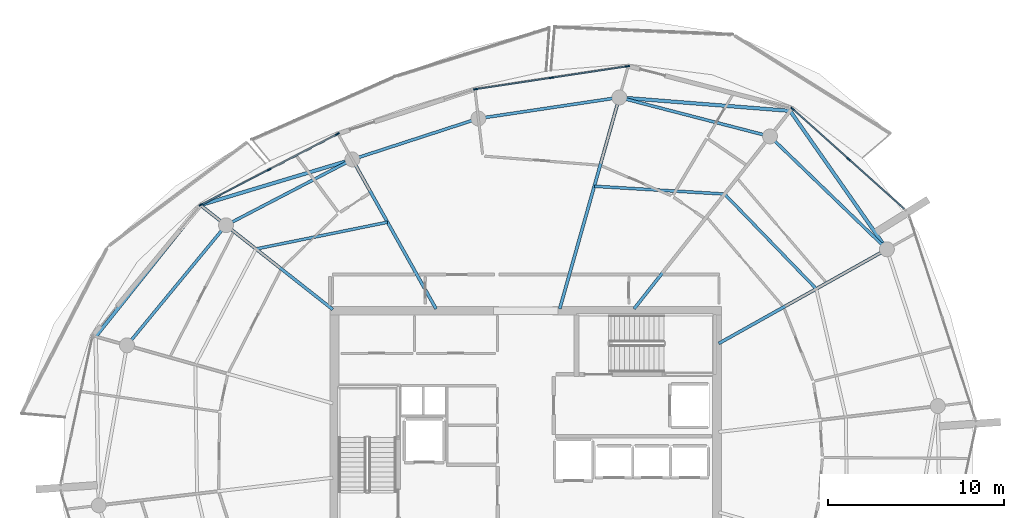
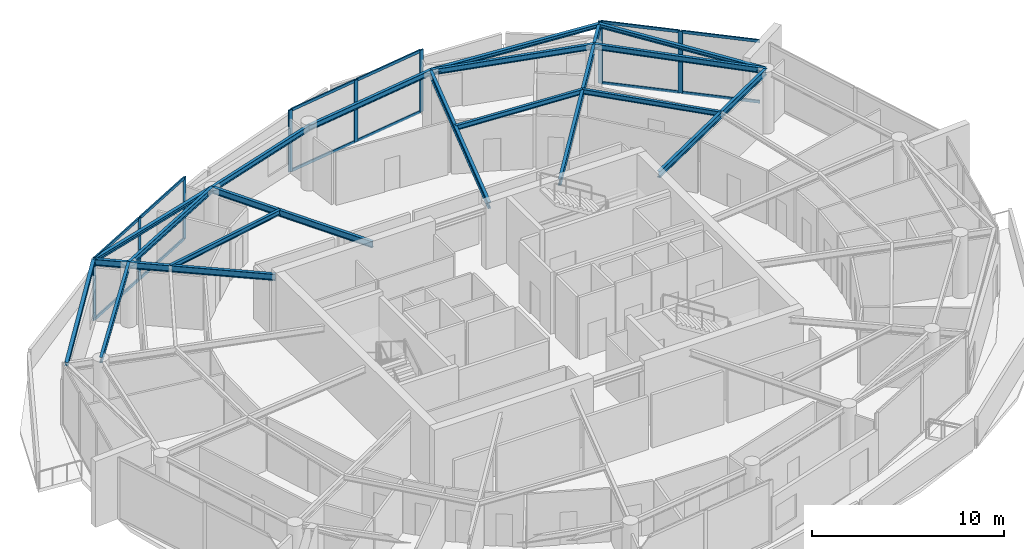
# One storey, part 7 of 20: 20 members, 18 beams, 3 elements without a shape of their own.
"""IFC4 building model written with IfcOpenShell, lengths in metres."""

import ifcopenshell
import ifcopenshell.guid

model = None  # the IFC model being written
_history = None  # IfcOwnerHistory: only IFC2X3 demands one
_inside = {}  # id of a spatial element -> (the spatial element, [elements in it])
_under = {}  # id of a project, library or spatial element -> (it, [spatial elements below it])
_declared = {}  # id of a project -> (the project, [libraries it declares])
_typed = {}  # id of a type object -> (the type object, [elements of that type])
_made_of = {}  # id of a material, layer set ... -> (it, [elements and type objects made of it])


def new_model(schema):
    """Start an empty IFC model of exactly this schema.

    Asked for "IFC4X3", IfcOpenShell would pick the latest addendum, in which some entities
    have other attributes; the version numbers below select the first issue.
    IFC2X3 requires an IfcOwnerHistory on every rooted entity: one is made here for all.
    """
    global model, _history
    if schema == "IFC4X3":
        model = ifcopenshell.file(schema_version=(4, 3, 0, 0))
    else:
        model = ifcopenshell.file(schema=schema)
    _inside.clear()
    _under.clear()
    _declared.clear()
    _typed.clear()
    _made_of.clear()
    _history = None
    if model.schema == "IFC2X3":
        org = make("IfcOrganization", Name="unknown")
        user = make(
            "IfcPersonAndOrganization",
            ThePerson=make("IfcPerson", FamilyName="unknown"),
            TheOrganization=org,
        )
        app = make(
            "IfcApplication",
            ApplicationDeveloper=org,
            Version="unknown",
            ApplicationFullName="unknown",
            ApplicationIdentifier="unknown",
        )
        _history = make(
            "IfcOwnerHistory",
            OwningUser=user,
            OwningApplication=app,
            ChangeAction="ADDED",
            CreationDate=0,
        )
    return model


def make(cls, **values):
    """One entity of the class cls with the attributes given. An attribute that is None is left unset."""
    return model.create_entity(
        cls, **{name: value for name, value in values.items() if value is not None}
    )


def rooted(cls, **values):
    """An entity with a GlobalId (a new one), such as an element, a storey or a relation."""
    return make(cls, GlobalId=ifcopenshell.guid.new(), OwnerHistory=_history, **values)


def si_unit(unit_type, name, prefix=None):
    """IfcSIUnit, for example si_unit("LENGTHUNIT", "METRE", prefix="MILLI")."""
    return make("IfcSIUnit", UnitType=unit_type, Prefix=prefix, Name=name)


def assignment(units):
    """IfcUnitAssignment: the units of a project."""
    return None if units is None else make("IfcUnitAssignment", Units=units)


def point(xyz):
    """IfcCartesianPoint."""
    return None if xyz is None else make("IfcCartesianPoint", Coordinates=xyz)


def direction(xyz):
    """IfcDirection."""
    return None if xyz is None else make("IfcDirection", DirectionRatios=xyz)


def frame(location, z_axis=None, x_axis=None):
    """IfcAxis2Placement3D, a coordinate frame: its origin and axes. An axis left out is left unset."""
    return make(
        "IfcAxis2Placement3D",
        Location=point(location),
        Axis=direction(z_axis),
        RefDirection=direction(x_axis),
    )


def frame_2d(location, x_axis=None):
    """IfcAxis2Placement2D, a coordinate frame in the plane: its origin and x axis."""
    return make(
        "IfcAxis2Placement2D", Location=point(location), RefDirection=direction(x_axis)
    )


def origin():
    """The frame at (0, 0, 0) with its axes left unset."""
    return frame((0.0, 0.0, 0.0))


def origin_2d():
    """The frame at (0, 0) in the plane with its x axis left unset."""
    return frame_2d((0.0, 0.0))


def place(relative_to, where):
    """IfcLocalPlacement: puts the frame where relative to a parent placement (None: the world)."""
    return make(
        "IfcLocalPlacement", PlacementRelTo=relative_to, RelativePlacement=where
    )


def context(
    kind, dimensions, precision=None, world=None, true_north=None, identifier=None
):
    """IfcGeometricRepresentationContext, for example the 3D "Model" context."""
    return make(
        "IfcGeometricRepresentationContext",
        ContextIdentifier=identifier,
        ContextType=kind,
        CoordinateSpaceDimension=dimensions,
        Precision=precision,
        WorldCoordinateSystem=world,
        TrueNorth=true_north,
    )


def subcontext(parent, identifier, kind, view, scale=None):
    """IfcGeometricRepresentationSubContext, for example "Body" below "Model"."""
    return make(
        "IfcGeometricRepresentationSubContext",
        ContextIdentifier=identifier,
        ContextType=kind,
        ParentContext=parent,
        TargetScale=scale,
        TargetView=view,
    )


def project(units=None, contexts=None):
    """IfcProject with its units and contexts."""
    return rooted(
        "IfcProject",
        Name="project",
        RepresentationContexts=contexts,
        UnitsInContext=assignment(units),
    )


def spatial(cls, under=None, at=None, **own):
    """A site, building, storey or space (cls), placed at a placement, below another one or the project."""
    s = rooted(cls, ObjectPlacement=at, **own)
    if under is not None:
        _under.setdefault(under.id(), (under, []))[1].append(s)
    return s


def profile(cls, at=None, kind="AREA", **sizes):
    """A parametric profile (cls). Its sizes go by their IFC names, for example OverallWidth=200.0."""
    return make(cls, ProfileType=kind, Position=at, **sizes)


def rectangle(**sizes):
    """IfcRectangleProfileDef."""
    return profile("IfcRectangleProfileDef", **sizes)


def i_section(**sizes):
    """IfcIShapeProfileDef."""
    return profile("IfcIShapeProfileDef", **sizes)


def extrude(swept, where, along, depth):
    """IfcExtrudedAreaSolid: the profile swept, set in the frame where, extruded along a direction by depth."""
    return make(
        "IfcExtrudedAreaSolid",
        SweptArea=swept,
        Position=where,
        ExtrudedDirection=direction(along),
        Depth=depth,
    )


def shape(context_of_items, identifier, shape_type, items):
    """IfcShapeRepresentation: the items that make up one representation, for example the "Body"."""
    return make(
        "IfcShapeRepresentation",
        ContextOfItems=context_of_items,
        RepresentationIdentifier=identifier,
        RepresentationType=shape_type,
        Items=items,
    )


def material(Name=None, Category=None):
    """IfcMaterial."""
    return make("IfcMaterial", Name=Name, Category=Category)


def layer(
    of_material, thickness, ventilated=None, Name=None, Category=None, Priority=None
):
    """IfcMaterialLayer: one layer of a wall or slab, of a material (None: an air gap)."""
    return make(
        "IfcMaterialLayer",
        Material=of_material,
        LayerThickness=thickness,
        IsVentilated=ventilated,
        Name=Name,
        Category=Category,
        Priority=Priority,
    )


def layer_set(layers, Name=None):
    """IfcMaterialLayerSet."""
    return make("IfcMaterialLayerSet", MaterialLayers=layers, LayerSetName=Name)


def material_profile(
    of_material, cross_section, Name=None, Category=None, Priority=None
):
    """IfcMaterialProfile: a cross section and its material."""
    return make(
        "IfcMaterialProfile",
        Name=Name,
        Material=of_material,
        Profile=cross_section,
        Priority=Priority,
        Category=Category,
    )


def profile_set(profiles, Name=None, composite=None):
    """IfcMaterialProfileSet."""
    return make(
        "IfcMaterialProfileSet",
        Name=Name,
        MaterialProfiles=profiles,
        CompositeProfile=composite,
    )


def made_of(thing, what):
    """Note that an element or type object is made of a material, layer set ...; save() writes the relation."""
    if what is not None:
        _made_of.setdefault(what.id(), (what, []))[1].append(thing)
    return thing


def type_object(cls, material=None, **own):
    """A type object (cls), such as IfcWallType, which elements share."""
    return made_of(rooted(cls, **own), material)


def element(
    cls,
    number,
    at=None,
    inside=None,
    cuts=None,
    type_object=None,
    material=None,
    context=None,
    identifier="Body",
    shape_type=None,
    held_by="IfcProductDefinitionShape",
    body=None,
    shapes=None,
    **own,
):
    """One element of the class cls, such as IfcWall. Its Tag is "e" and its number.

    at: its placement. inside: the storey or other place that contains it. cuts: it is an
    opening in that element (IfcRelVoidsElement). A single representation is given by context,
    identifier, shape_type and body (its items); several are given by shapes. held_by: the class
    of the entity that holds the representations. save() writes the other relations.
    """
    e = rooted(cls, Tag="e%d" % number, ObjectPlacement=at, **own)
    if body is not None:
        shapes = [shape(context, identifier, shape_type, body)]
    if shapes is not None:
        e.Representation = make(held_by, Representations=shapes)
    if inside is not None:
        _inside.setdefault(inside.id(), (inside, []))[1].append(e)
    if cuts is not None:
        rooted(
            "IfcRelVoidsElement", RelatingBuildingElement=cuts, RelatedOpeningElement=e
        )
    if type_object is not None:
        _typed.setdefault(type_object.id(), (type_object, []))[1].append(e)
    return made_of(e, material)


def aggregate(whole, parts):
    """IfcRelAggregates: a whole, such as a stair, and the parts it consists of."""
    return rooted("IfcRelAggregates", RelatingObject=whole, RelatedObjects=parts)


def save(model, path):
    """Write the relations noted so far, then the file.

    IfcRelAggregates (storeys below a building ...), IfcRelContainedInSpatialStructure (elements
    in a storey), IfcRelDefinesByType, IfcRelAssociatesMaterial and IfcRelDeclares: one each for
    every whole, place, type object, material and project.
    """
    for whole, parts in _under.values():
        aggregate(whole, parts)
    for where, things in _inside.values():
        rooted(
            "IfcRelContainedInSpatialStructure",
            RelatedElements=things,
            RelatingStructure=where,
        )
    for kind, things in _typed.values():
        rooted("IfcRelDefinesByType", RelatedObjects=things, RelatingType=kind)
    for what, things in _made_of.values():
        rooted("IfcRelAssociatesMaterial", RelatedObjects=things, RelatingMaterial=what)
    for by, libraries in _declared.values():
        rooted("IfcRelDeclares", RelatingContext=by, RelatedDefinitions=libraries)
    model.write(path)


model = new_model("IFC4")

# Units and contexts
model_context = context("Model", 3, precision=1e-05, world=origin(), true_north=direction((0.0, 1.0)))
body_context = subcontext(model_context, "Body", "Model", "MODEL_VIEW")
ifc_project = project(units=[si_unit("LENGTHUNIT", "METRE"), si_unit("AREAUNIT", "SQUARE_METRE"), si_unit("VOLUMEUNIT", "CUBIC_METRE"), si_unit("PLANEANGLEUNIT", "RADIAN"), si_unit("MASSUNIT", "GRAM", prefix="KILO")], contexts=[model_context])

# Site, building, storey
site_placement = place(None, origin())
site = spatial("IfcSite", under=ifc_project, at=site_placement, CompositionType="ELEMENT")
building_placement = place(site_placement, origin())
building = spatial("IfcBuilding", under=site, at=building_placement, Name="Kazma Halo Residences", CompositionType="ELEMENT")
storey_placement = place(building_placement, frame((0.0, 0.0, 317.89990234375)))
storey = spatial("IfcBuildingStorey", under=building, at=storey_placement, Name="L80", CompositionType="ELEMENT", Elevation=317.89990234375)

# Beams
ifc_material_1 = material(Name="Steel S355", Category="steel")
ifc_material_profile_1 = material_profile(ifc_material_1, i_section(OverallWidth=0.201904296875, OverallDepth=0.2470703125, WebThickness=0.00732421875, FlangeThickness=0.010986328125, FilletRadius=0.011962890625, at=origin_2d()), Name="W250x49.1")
ifc_profile_set_1 = profile_set([ifc_material_profile_1], Name="Steel S355")
beam_type_1 = type_object("IfcBeamType", Name="BM-BAL-CANT", PredefinedType="BEAM", material=ifc_profile_set_1)
beam_1_placement = place(storey_placement, frame((68.96337890625, 53.739990234375, 3.816650390625), z_axis=(-0.572873629847, 0.819643705659, 0.0), x_axis=(-0.819643705659, -0.572873629847, 0.0)))
element("IfcBeam", 1, at=beam_1_placement, inside=storey, type_object=beam_type_1, Name="L80 wave-balcony lead tie beam 01", PredefinedType="BEAM", context=body_context, shape_type="SweptSolid", body=[
    extrude(i_section(OverallWidth=0.201904296875, OverallDepth=0.2470703125, WebThickness=0.00732421875, FlangeThickness=0.010986328125, FilletRadius=0.011962890625, at=origin_2d()), origin(), (0.0, 0.0, 1.0), 9.6044921875),
])
beam_2_placement = place(storey_placement, frame((63.461181640625, 61.6123046875, 3.816650390625), z_axis=(-0.996920506796, 0.078418767718, 0.0), x_axis=(-0.078418767718, -0.996920506796, 0.0)))
element("IfcBeam", 2, at=beam_2_placement, inside=storey, type_object=beam_type_1, Name="L80 wave-balcony tie beam 02", PredefinedType="BEAM", context=body_context, shape_type="SweptSolid", body=[
    extrude(i_section(OverallWidth=0.201904296875, OverallDepth=0.2470703125, WebThickness=0.00732421875, FlangeThickness=0.010986328125, FilletRadius=0.011962890625, at=origin_2d()), origin(), (0.0, 0.0, 1.0), 9.74462890625),
])
beam_3_placement = place(storey_placement, frame((38.563232421875, 58.8505859375, 3.816650390625), z_axis=(-0.957652623349, -0.287926124193, 0.0), x_axis=(0.287926124193, -0.957652623349, 0.0)))
element("IfcBeam", 3, at=beam_3_placement, inside=storey, type_object=beam_type_1, Name="L80 wave-balcony lead tie beam 05", PredefinedType="BEAM", context=body_context, shape_type="SweptSolid", body=[
    extrude(i_section(OverallWidth=0.201904296875, OverallDepth=0.2470703125, WebThickness=0.00732421875, FlangeThickness=0.010986328125, FilletRadius=0.011962890625, at=origin_2d()), origin(), (0.0, 0.0, 1.0), 9.0244140625),
])
beam_4_placement = place(storey_placement, frame((29.9208984375, 56.252197265625, 3.816650390625), z_axis=(-0.623310870646, -0.781974141858, 0.0), x_axis=(0.781974141858, -0.623310870646, 0.0)))
element("IfcBeam", 4, at=beam_4_placement, inside=storey, type_object=beam_type_1, Name="L80 wave-balcony tie beam 06", PredefinedType="BEAM", context=body_context, shape_type="SweptSolid", body=[
    extrude(i_section(OverallWidth=0.201904296875, OverallDepth=0.2470703125, WebThickness=0.00732421875, FlangeThickness=0.010986328125, FilletRadius=0.011962890625, at=origin_2d()), origin(), (0.0, 0.0, 1.0), 9.55712890625),
])
ifc_material_profile_2 = material_profile(ifc_material_1, i_section(OverallWidth=0.177978515625, OverallDepth=0.406982421875, WebThickness=0.0078125, FlangeThickness=0.0126953125, FilletRadius=0.013916015625, at=origin_2d()), Name="W410x60")
ifc_profile_set_2 = profile_set([ifc_material_profile_2], Name="Steel S355")
beam_type_2 = type_object("IfcBeamType", Name="BM-RAD-W410", PredefinedType="BEAM", material=ifc_profile_set_2)
beam_5_placement = place(storey_placement, frame((59.39990234375, 48.38427734375, 3.736572265625), z_axis=(0.872499558985, 0.488614899047, 0.0), x_axis=(-0.488614899047, 0.872499558985, 0.0)))
element("IfcBeam", 5, at=beam_5_placement, inside=storey, type_object=beam_type_2, Name="L80 radial floor beam 01", PredefinedType="BEAM", context=body_context, shape_type="SweptSolid", body=[
    extrude(i_section(OverallWidth=0.177978515625, OverallDepth=0.406982421875, WebThickness=0.0078125, FlangeThickness=0.0126953125, FilletRadius=0.013916015625, at=origin_2d()), origin(), (0.0, 0.0, 1.0), 10.9609375),
])
beam_6_placement = place(storey_placement, frame((54.58251953125, 50.35009765625, 3.736572265625), z_axis=(0.61910487104, 0.78530832076, 0.0), x_axis=(-0.78530832076, 0.61910487104, 0.0)))
element("IfcBeam", 6, at=beam_6_placement, inside=storey, type_object=beam_type_2, Name="L80 radial floor beam 02", PredefinedType="BEAM", context=body_context, shape_type="SweptSolid", body=[
    extrude(i_section(OverallWidth=0.177978515625, OverallDepth=0.406982421875, WebThickness=0.0078125, FlangeThickness=0.0126953125, FilletRadius=0.013916015625, at=origin_2d()), origin(), (0.0, 0.0, 1.0), 14.341064453125),
])
beam_7_placement = place(storey_placement, frame((50.35498046875, 50.35009765625, 3.736572265625), z_axis=(0.271426752139, 0.962459099507, 0.0), x_axis=(-0.962459099507, 0.271426752139, 0.0)))
element("IfcBeam", 7, at=beam_7_placement, inside=storey, type_object=beam_type_2, Name="L80 radial floor beam 03", PredefinedType="BEAM", context=body_context, shape_type="SweptSolid", body=[
    extrude(i_section(OverallWidth=0.177978515625, OverallDepth=0.406982421875, WebThickness=0.0078125, FlangeThickness=0.0126953125, FilletRadius=0.013916015625, at=origin_2d()), origin(), (0.0, 0.0, 1.0), 12.495361328125),
])
beam_8_placement = place(storey_placement, frame((43.32373046875, 50.35009765625, 3.736572265625), z_axis=(-0.488620919127, 0.872496187608, 0.0), x_axis=(-0.872496187608, -0.488620919127, 0.0)))
element("IfcBeam", 8, at=beam_8_placement, inside=storey, type_object=beam_type_2, Name="L80 radial floor beam 05", PredefinedType="BEAM", context=body_context, shape_type="SweptSolid", body=[
    extrude(i_section(OverallWidth=0.177978515625, OverallDepth=0.406982421875, WebThickness=0.0078125, FlangeThickness=0.0126953125, FilletRadius=0.013916015625, at=origin_2d()), origin(), (0.0, 0.0, 1.0), 9.74267578125),
])
beam_9_placement = place(storey_placement, frame((37.449951171875, 50.31689453125, 3.736572265625), z_axis=(-0.78532321171, 0.619085982032, 0.0), x_axis=(-0.619085982032, -0.78532321171, 0.0)))
element("IfcBeam", 9, at=beam_9_placement, inside=storey, type_object=beam_type_2, Name="L80 radial floor beam 06", PredefinedType="BEAM", context=body_context, shape_type="SweptSolid", body=[
    extrude(i_section(OverallWidth=0.177978515625, OverallDepth=0.406982421875, WebThickness=0.0078125, FlangeThickness=0.0126953125, FilletRadius=0.013916015625, at=origin_2d()), origin(), (0.0, 0.0, 1.0), 9.587158203125),
])
ifc_material_profile_3 = material_profile(ifc_material_1, i_section(OverallWidth=0.1650390625, OverallDepth=0.31005859375, WebThickness=0.005859375, FlangeThickness=0.009765625, FilletRadius=0.011962890625, at=origin_2d()), Name="W310x38.7")
ifc_profile_set_3 = profile_set([ifc_material_profile_3], Name="Steel S355")
beam_type_3 = type_object("IfcBeamType", Name="BM-SEC-W310B", PredefinedType="JOIST", material=ifc_profile_set_3)
beam_10_placement = place(storey_placement, frame((64.94677734375, 51.490478515625, 3.78515625), z_axis=(-0.695209401678, 0.718807267506, 0.0), x_axis=(-0.718807267506, -0.695209401678, 0.0)))
element("IfcBeam", 10, at=beam_10_placement, inside=storey, type_object=beam_type_3, Name="L80 circumferential floor joist 01", PredefinedType="JOIST", context=body_context, shape_type="SweptSolid", body=[
    extrude(i_section(OverallWidth=0.1650390625, OverallDepth=0.31005859375, WebThickness=0.005859375, FlangeThickness=0.009765625, FilletRadius=0.011962890625, at=origin_2d()), origin(), (0.0, 0.0, 1.0), 7.500732421875),
])
beam_11_placement = place(storey_placement, frame((59.732177734375, 56.882080078125, 3.78515625), z_axis=(-0.998216858477, 0.059691736892, 0.0), x_axis=(-0.059691736892, -0.998216858477, 0.0)))
element("IfcBeam", 11, at=beam_11_placement, inside=storey, type_object=beam_type_3, Name="L80 circumferential floor joist 02", PredefinedType="JOIST", context=body_context, shape_type="SweptSolid", body=[
    extrude(i_section(OverallWidth=0.1650390625, OverallDepth=0.31005859375, WebThickness=0.005859375, FlangeThickness=0.009765625, FilletRadius=0.011962890625, at=origin_2d()), origin(), (0.0, 0.0, 1.0), 7.42333984375),
])
beam_12_placement = place(storey_placement, frame((40.562744140625, 55.280517578125, 3.78515625), z_axis=(-0.979943226728, -0.199276873695, 0.0), x_axis=(0.199276873695, -0.979943226728, 0.0)))
element("IfcBeam", 12, at=beam_12_placement, inside=storey, type_object=beam_type_3, Name="L80 circumferential floor joist 05", PredefinedType="JOIST", context=body_context, shape_type="SweptSolid", body=[
    extrude(i_section(OverallWidth=0.1650390625, OverallDepth=0.31005859375, WebThickness=0.005859375, FlangeThickness=0.009765625, FilletRadius=0.011962890625, at=origin_2d()), origin(), (0.0, 0.0, 1.0), 7.632568359375),
])
ifc_material_profile_4 = material_profile(ifc_material_1, i_section(OverallWidth=0.1708984375, OverallDepth=0.35498046875, WebThickness=0.007080078125, FlangeThickness=0.01171875, FilletRadius=0.013916015625, at=origin_2d()), Name="W360x51")
ifc_profile_set_4 = profile_set([ifc_material_profile_4], Name="Steel S355")
beam_type_4 = type_object("IfcBeamType", Name="BM-SPN-W360", PredefinedType="BEAM", material=ifc_profile_set_4)
beam_13_placement = place(storey_placement, frame((68.96337890625, 53.739990234375, 3.7626953125), z_axis=(-0.71933681628, 0.694661460529, 0.0), x_axis=(-0.694661460529, -0.71933681628, 0.0)))
element("IfcBeam", 13, at=beam_13_placement, inside=storey, type_object=beam_type_4, Name="L80 perimeter ring beam 01", PredefinedType="BEAM", context=body_context, shape_type="SweptSolid", body=[
    extrude(i_section(OverallWidth=0.1708984375, OverallDepth=0.35498046875, WebThickness=0.007080078125, FlangeThickness=0.01171875, FilletRadius=0.013916015625, at=origin_2d()), origin(), (0.0, 0.0, 1.0), 9.2412109375),
])
beam_14_placement = place(storey_placement, frame((62.31591796875, 60.159423828125, 3.7626953125), z_axis=(-0.968124082793, 0.250471076805, 0.0), x_axis=(-0.250471076805, -0.968124082793, 0.0)))
element("IfcBeam", 14, at=beam_14_placement, inside=storey, type_object=beam_type_4, Name="L80 perimeter ring beam 02", PredefinedType="BEAM", context=body_context, shape_type="SweptSolid", body=[
    extrude(i_section(OverallWidth=0.1708984375, OverallDepth=0.35498046875, WebThickness=0.007080078125, FlangeThickness=0.01171875, FilletRadius=0.013916015625, at=origin_2d()), origin(), (0.0, 0.0, 1.0), 8.8515625),
])
beam_15_placement = place(storey_placement, frame((53.74658203125, 62.37646484375, 3.7626953125), z_axis=(-0.989030710595, -0.147710031817, 0.0), x_axis=(0.147710031817, -0.989030710595, 0.0)))
element("IfcBeam", 15, at=beam_15_placement, inside=storey, type_object=beam_type_4, Name="L80 perimeter ring beam 03", PredefinedType="BEAM", context=body_context, shape_type="SweptSolid", body=[
    extrude(i_section(OverallWidth=0.1708984375, OverallDepth=0.35498046875, WebThickness=0.007080078125, FlangeThickness=0.01171875, FilletRadius=0.013916015625, at=origin_2d()), origin(), (0.0, 0.0, 1.0), 8.10546875),
])
beam_16_placement = place(storey_placement, frame((45.72998046875, 61.17919921875, 3.7626953125), z_axis=(-0.951056684666, -0.309016476183, 0.0), x_axis=(0.309016476183, -0.951056684666, 0.0)))
element("IfcBeam", 16, at=beam_16_placement, inside=storey, type_object=beam_type_4, Name="L80 perimeter ring beam 04", PredefinedType="BEAM", context=body_context, shape_type="SweptSolid", body=[
    extrude(i_section(OverallWidth=0.1708984375, OverallDepth=0.35498046875, WebThickness=0.007080078125, FlangeThickness=0.01171875, FilletRadius=0.013916015625, at=origin_2d()), origin(), (0.0, 0.0, 1.0), 7.53564453125),
])
beam_17_placement = place(storey_placement, frame((38.563232421875, 58.8505859375, 3.7626953125), z_axis=(-0.886957269655, -0.461851493238, 0.0), x_axis=(0.461851493238, -0.886957269655, 0.0)))
element("IfcBeam", 17, at=beam_17_placement, inside=storey, type_object=beam_type_4, Name="L80 perimeter ring beam 05", PredefinedType="BEAM", context=body_context, shape_type="SweptSolid", body=[
    extrude(i_section(OverallWidth=0.1708984375, OverallDepth=0.35498046875, WebThickness=0.007080078125, FlangeThickness=0.01171875, FilletRadius=0.013916015625, at=origin_2d()), origin(), (0.0, 0.0, 1.0), 8.105712890625),
])
beam_18_placement = place(storey_placement, frame((31.373779296875, 55.10693359375, 3.7626953125), z_axis=(-0.636004986424, -0.771684946881, 0.0), x_axis=(0.771684946881, -0.636004986424, 0.0)))
element("IfcBeam", 18, at=beam_18_placement, inside=storey, type_object=beam_type_4, Name="L80 perimeter ring beam 06", PredefinedType="BEAM", context=body_context, shape_type="SweptSolid", body=[
    extrude(i_section(OverallWidth=0.1708984375, OverallDepth=0.35498046875, WebThickness=0.007080078125, FlangeThickness=0.01171875, FilletRadius=0.013916015625, at=origin_2d()), origin(), (0.0, 0.0, 1.0), 8.85107421875),
])

# Curtain wall, members
ifc_material_2 = material(Name="Aluminium AW-6063 T6 and Triple-Silver Low-E Glass", Category="aluminium")
ifc_layer = layer(ifc_material_2, 0.239990234375)
ifc_layer_set = layer_set([ifc_layer], Name="Aluminium AW-6063 T6 and Triple-Silver Low-E Glass")
curtain_wall_type = type_object("IfcCurtainWallType", Name="CW-SYS-6", PredefinedType="NOTDEFINED", material=ifc_layer_set)
curtain_wall_1_placement = place(storey_placement, origin())
curtain_wall_1 = element("IfcCurtainWall", 19, at=curtain_wall_1_placement, inside=storey, type_object=curtain_wall_type, Name="L80 unitised curtain wall B01", PredefinedType="NOTDEFINED")
ifc_material_3 = material(Name="Aluminium AW-6063 T6", Category="aluminium")
ifc_material_profile_5 = material_profile(ifc_material_3, rectangle(XDim=0.080078125, YDim=0.239990234375, at=origin_2d()), Name="CWM-80x240")
ifc_profile_set_5 = profile_set([ifc_material_profile_5], Name="Aluminium AW-6063 T6")
member_type_1 = type_object("IfcMemberType", Name="CW-SYS-6-MUL", PredefinedType="MULLION", material=ifc_profile_set_5)
member_1_placement = place(storey_placement, frame((66.78466796875, 58.86962890625, 0.0), z_axis=(0.0, 0.0, 1.0), x_axis=(-0.667757559118, -0.744378829791, 0.0)))
member_1 = element("IfcMember", 20, at=member_1_placement, type_object=member_type_1, Name="CWS-6 mullion 2", PredefinedType="MULLION", context=body_context, shape_type="SweptSolid", body=[
    extrude(rectangle(XDim=0.080078125, YDim=0.239990234375, at=origin_2d()), origin(), (0.0, 0.0, 1.0), 3.940185546875),
])
member_2_placement = place(storey_placement, frame((63.60107421875, 61.7255859375, 0.0), z_axis=(0.0, 0.0, 1.0), x_axis=(-0.667757559118, -0.744378829791, 0.0)))
member_2 = element("IfcMember", 21, at=member_2_placement, type_object=member_type_1, Name="CWS-6 mullion 3", PredefinedType="MULLION", context=body_context, shape_type="SweptSolid", body=[
    extrude(rectangle(XDim=0.080078125, YDim=0.239990234375, at=origin_2d()), origin(), (0.0, 0.0, 1.0), 3.940185546875),
])

curtain_wall_2_placement = place(storey_placement, origin())
curtain_wall_2 = element("IfcCurtainWall", 22, at=curtain_wall_2_placement, inside=storey, type_object=curtain_wall_type, Name="L80 unitised curtain wall B03", PredefinedType="NOTDEFINED")
member_3_placement = place(storey_placement, frame((54.20849609375, 64.14794921875, 0.0), z_axis=(0.0, 0.0, 1.0), x_axis=(0.148870876743, -0.988856643836, 0.0)))
member_3 = element("IfcMember", 23, at=member_3_placement, type_object=member_type_1, Name="CWS-6 mullion 1", PredefinedType="MULLION", context=body_context, shape_type="SweptSolid", body=[
    extrude(rectangle(XDim=0.080078125, YDim=0.239990234375, at=origin_2d()), origin(), (0.0, 0.0, 1.0), 3.940185546875),
])
member_4_placement = place(storey_placement, frame((49.890625, 63.497802734375, 0.0), z_axis=(0.0, 0.0, 1.0), x_axis=(0.148870876743, -0.988856643836, 0.0)))
member_4 = element("IfcMember", 24, at=member_4_placement, type_object=member_type_1, Name="CWS-6 mullion 2", PredefinedType="MULLION", context=body_context, shape_type="SweptSolid", body=[
    extrude(rectangle(XDim=0.080078125, YDim=0.239990234375, at=origin_2d()), origin(), (0.0, 0.0, 1.0), 3.940185546875),
])
member_5_placement = place(storey_placement, frame((45.57275390625, 62.84765625, 0.0), z_axis=(0.0, 0.0, 1.0), x_axis=(0.148870876743, -0.988856643836, 0.0)))
member_5 = element("IfcMember", 25, at=member_5_placement, type_object=member_type_1, Name="CWS-6 mullion 3", PredefinedType="MULLION", context=body_context, shape_type="SweptSolid", body=[
    extrude(rectangle(XDim=0.080078125, YDim=0.239990234375, at=origin_2d()), origin(), (0.0, 0.0, 1.0), 3.940185546875),
])

curtain_wall_3_placement = place(storey_placement, origin())
curtain_wall_3 = element("IfcCurtainWall", 26, at=curtain_wall_3_placement, inside=storey, type_object=curtain_wall_type, Name="L80 unitised curtain wall B05", PredefinedType="NOTDEFINED")
member_6_placement = place(storey_placement, frame((37.709716796875, 60.29296875, 0.0), z_axis=(0.0, 0.0, 1.0), x_axis=(0.460796020861, -0.887506071618, 0.0)))
member_6 = element("IfcMember", 27, at=member_6_placement, type_object=member_type_1, Name="CWS-6 mullion 1", PredefinedType="MULLION", context=body_context, shape_type="SweptSolid", body=[
    extrude(rectangle(XDim=0.080078125, YDim=0.239990234375, at=origin_2d()), origin(), (0.0, 0.0, 1.0), 3.940185546875),
])
member_7_placement = place(storey_placement, frame((33.83447265625, 58.28076171875, 0.0), z_axis=(0.0, 0.0, 1.0), x_axis=(0.460796020861, -0.887506071618, 0.0)))
member_7 = element("IfcMember", 28, at=member_7_placement, type_object=member_type_1, Name="CWS-6 mullion 2", PredefinedType="MULLION", context=body_context, shape_type="SweptSolid", body=[
    extrude(rectangle(XDim=0.080078125, YDim=0.239990234375, at=origin_2d()), origin(), (0.0, 0.0, 1.0), 3.940185546875),
])
member_8_placement = place(storey_placement, frame((29.958984375, 56.268798828125, 0.0), z_axis=(0.0, 0.0, 1.0), x_axis=(0.460796020861, -0.887506071618, 0.0)))
member_8 = element("IfcMember", 29, at=member_8_placement, type_object=member_type_1, Name="CWS-6 mullion 3", PredefinedType="MULLION", context=body_context, shape_type="SweptSolid", body=[
    extrude(rectangle(XDim=0.080078125, YDim=0.239990234375, at=origin_2d()), origin(), (0.0, 0.0, 1.0), 3.940185546875),
])

# Member
ifc_material_profile_6 = material_profile(ifc_material_3, rectangle(XDim=0.080078125, YDim=0.179931640625, at=origin_2d()), Name="CWT-80x180")
ifc_profile_set_6 = profile_set([ifc_material_profile_6], Name="Aluminium AW-6063 T6")
member_type_2 = type_object("IfcMemberType", Name="CW-SYS-6-TRN", PredefinedType="USERDEFINED", material=ifc_profile_set_6)
member_9_placement = place(storey_placement, frame((69.938232421875, 56.04052734375, 0.0400390625), z_axis=(-0.744349048391, 0.66779075627, 0.0), x_axis=(-0.66779075627, -0.744349048391, 0.0)))
member_9 = element("IfcMember", 30, at=member_9_placement, type_object=member_type_2, Name="CWS-6 transom 1.1", ObjectType="TRANSOM", PredefinedType="USERDEFINED", context=body_context, shape_type="SweptSolid", body=[
    extrude(rectangle(XDim=0.080078125, YDim=0.179931640625, at=origin_2d()), origin(), (0.0, 0.0, 1.0), 4.19677734375),
])

member_10_placement = place(storey_placement, frame((69.938232421875, 56.04052734375, 3.900146484375), z_axis=(-0.744349048391, 0.66779075627, 0.0), x_axis=(-0.66779075627, -0.744349048391, 0.0)))
member_10 = element("IfcMember", 31, at=member_10_placement, type_object=member_type_2, Name="CWS-6 transom 1.2", ObjectType="TRANSOM", PredefinedType="USERDEFINED", context=body_context, shape_type="SweptSolid", body=[
    extrude(rectangle(XDim=0.080078125, YDim=0.179931640625, at=origin_2d()), origin(), (0.0, 0.0, 1.0), 4.19677734375),
])

member_11_placement = place(storey_placement, frame((66.7548828125, 58.896484375, 0.0400390625), z_axis=(-0.744403905463, 0.667729605103, 0.0), x_axis=(-0.667729605103, -0.744403905463, 0.0)))
member_11 = element("IfcMember", 32, at=member_11_placement, type_object=member_type_2, Name="CWS-6 transom 2.1", ObjectType="TRANSOM", PredefinedType="USERDEFINED", context=body_context, shape_type="SweptSolid", body=[
    extrude(rectangle(XDim=0.080078125, YDim=0.179931640625, at=origin_2d()), origin(), (0.0, 0.0, 1.0), 4.19677734375),
])

member_12_placement = place(storey_placement, frame((66.7548828125, 58.896484375, 3.900146484375), z_axis=(-0.744403905463, 0.667729605103, 0.0), x_axis=(-0.667729605103, -0.744403905463, 0.0)))
member_12 = element("IfcMember", 33, at=member_12_placement, type_object=member_type_2, Name="CWS-6 transom 2.2", ObjectType="TRANSOM", PredefinedType="USERDEFINED", context=body_context, shape_type="SweptSolid", body=[
    extrude(rectangle(XDim=0.080078125, YDim=0.179931640625, at=origin_2d()), origin(), (0.0, 0.0, 1.0), 4.19677734375),
])

aggregate(curtain_wall_1, [member_1, member_2, member_9, member_10, member_11, member_12])

member_13_placement = place(storey_placement, frame((54.1689453125, 64.141845703125, 0.0400390625), z_axis=(-0.988855159078, -0.14888073873, 0.0), x_axis=(0.14888073873, -0.988855159078, 0.0)))
member_13 = element("IfcMember", 34, at=member_13_placement, type_object=member_type_2, Name="CWS-6 transom 1.1", ObjectType="TRANSOM", PredefinedType="USERDEFINED", context=body_context, shape_type="SweptSolid", body=[
    extrude(rectangle(XDim=0.080078125, YDim=0.179931640625, at=origin_2d()), origin(), (0.0, 0.0, 1.0), 4.28662109375),
])

member_14_placement = place(storey_placement, frame((54.1689453125, 64.141845703125, 3.900146484375), z_axis=(-0.988855159078, -0.14888073873, 0.0), x_axis=(0.14888073873, -0.988855159078, 0.0)))
member_14 = element("IfcMember", 35, at=member_14_placement, type_object=member_type_2, Name="CWS-6 transom 1.2", ObjectType="TRANSOM", PredefinedType="USERDEFINED", context=body_context, shape_type="SweptSolid", body=[
    extrude(rectangle(XDim=0.080078125, YDim=0.179931640625, at=origin_2d()), origin(), (0.0, 0.0, 1.0), 4.28662109375),
])

member_15_placement = place(storey_placement, frame((49.85107421875, 63.491943359375, 0.0400390625), z_axis=(-0.988855159078, -0.14888073873, 0.0), x_axis=(0.14888073873, -0.988855159078, 0.0)))
member_15 = element("IfcMember", 36, at=member_15_placement, type_object=member_type_2, Name="CWS-6 transom 2.1", ObjectType="TRANSOM", PredefinedType="USERDEFINED", context=body_context, shape_type="SweptSolid", body=[
    extrude(rectangle(XDim=0.080078125, YDim=0.179931640625, at=origin_2d()), origin(), (0.0, 0.0, 1.0), 4.28662109375),
])

member_16_placement = place(storey_placement, frame((49.85107421875, 63.491943359375, 3.900146484375), z_axis=(-0.988855159078, -0.14888073873, 0.0), x_axis=(0.14888073873, -0.988855159078, 0.0)))
member_16 = element("IfcMember", 37, at=member_16_placement, type_object=member_type_2, Name="CWS-6 transom 2.2", ObjectType="TRANSOM", PredefinedType="USERDEFINED", context=body_context, shape_type="SweptSolid", body=[
    extrude(rectangle(XDim=0.080078125, YDim=0.179931640625, at=origin_2d()), origin(), (0.0, 0.0, 1.0), 4.28662109375),
])

aggregate(curtain_wall_2, [member_3, member_4, member_5, member_13, member_14, member_15, member_16])

member_17_placement = place(storey_placement, frame((37.67431640625, 60.2744140625, 0.0400390625), z_axis=(-0.88752339951, -0.460762645321, 0.0), x_axis=(0.460762645321, -0.88752339951, 0.0)))
member_17 = element("IfcMember", 38, at=member_17_placement, type_object=member_type_2, Name="CWS-6 transom 1.1", ObjectType="TRANSOM", PredefinedType="USERDEFINED", context=body_context, shape_type="SweptSolid", body=[
    extrude(rectangle(XDim=0.080078125, YDim=0.179931640625, at=origin_2d()), origin(), (0.0, 0.0, 1.0), 4.28662109375),
])

member_18_placement = place(storey_placement, frame((37.67431640625, 60.2744140625, 3.900146484375), z_axis=(-0.88752339951, -0.460762645321, 0.0), x_axis=(0.460762645321, -0.88752339951, 0.0)))
member_18 = element("IfcMember", 39, at=member_18_placement, type_object=member_type_2, Name="CWS-6 transom 1.2", ObjectType="TRANSOM", PredefinedType="USERDEFINED", context=body_context, shape_type="SweptSolid", body=[
    extrude(rectangle(XDim=0.080078125, YDim=0.179931640625, at=origin_2d()), origin(), (0.0, 0.0, 1.0), 4.28662109375),
])

member_19_placement = place(storey_placement, frame((33.798828125, 58.262451171875, 0.0400390625), z_axis=(-0.887488013571, -0.4608307995, 0.0), x_axis=(0.4608307995, -0.887488013571, 0.0)))
member_19 = element("IfcMember", 40, at=member_19_placement, type_object=member_type_2, Name="CWS-6 transom 2.1", ObjectType="TRANSOM", PredefinedType="USERDEFINED", context=body_context, shape_type="SweptSolid", body=[
    extrude(rectangle(XDim=0.080078125, YDim=0.179931640625, at=origin_2d()), origin(), (0.0, 0.0, 1.0), 4.286376953125),
])

member_20_placement = place(storey_placement, frame((33.798828125, 58.262451171875, 3.900146484375), z_axis=(-0.887488013571, -0.4608307995, 0.0), x_axis=(0.4608307995, -0.887488013571, 0.0)))
member_20 = element("IfcMember", 41, at=member_20_placement, type_object=member_type_2, Name="CWS-6 transom 2.2", ObjectType="TRANSOM", PredefinedType="USERDEFINED", context=body_context, shape_type="SweptSolid", body=[
    extrude(rectangle(XDim=0.080078125, YDim=0.179931640625, at=origin_2d()), origin(), (0.0, 0.0, 1.0), 4.286376953125),
])

aggregate(curtain_wall_3, [member_6, member_7, member_8, member_17, member_18, member_19, member_20])

save(model, "model.ifc")
